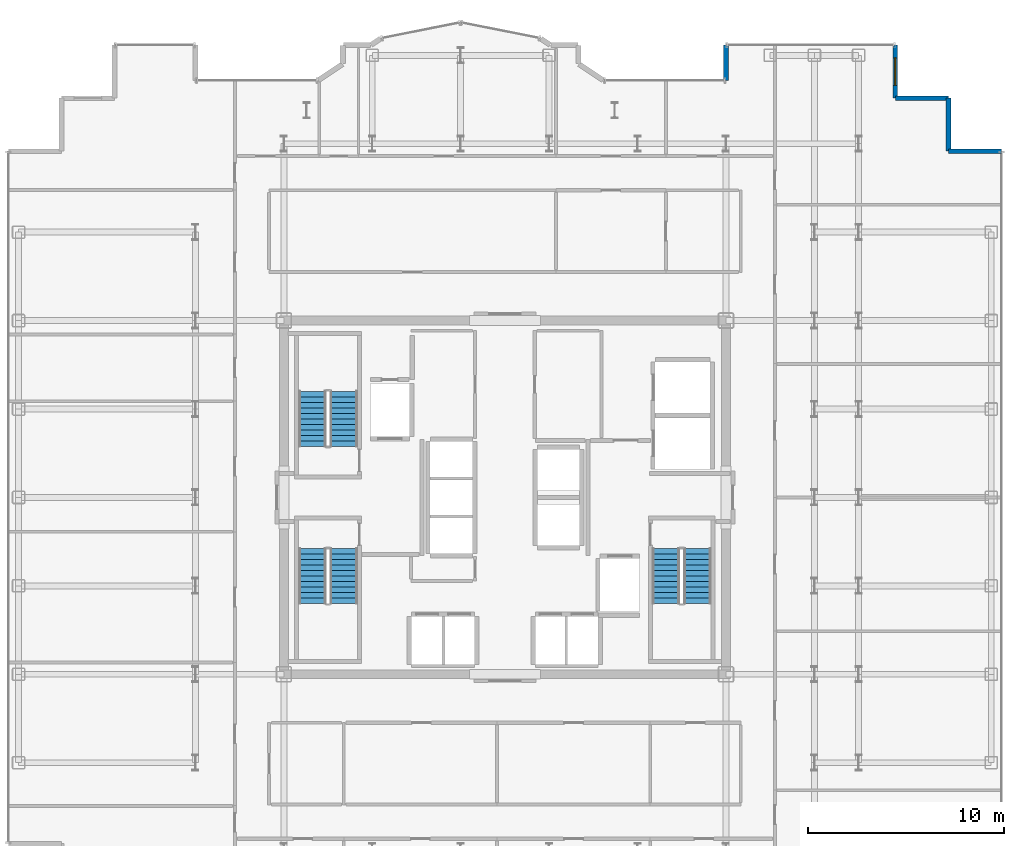
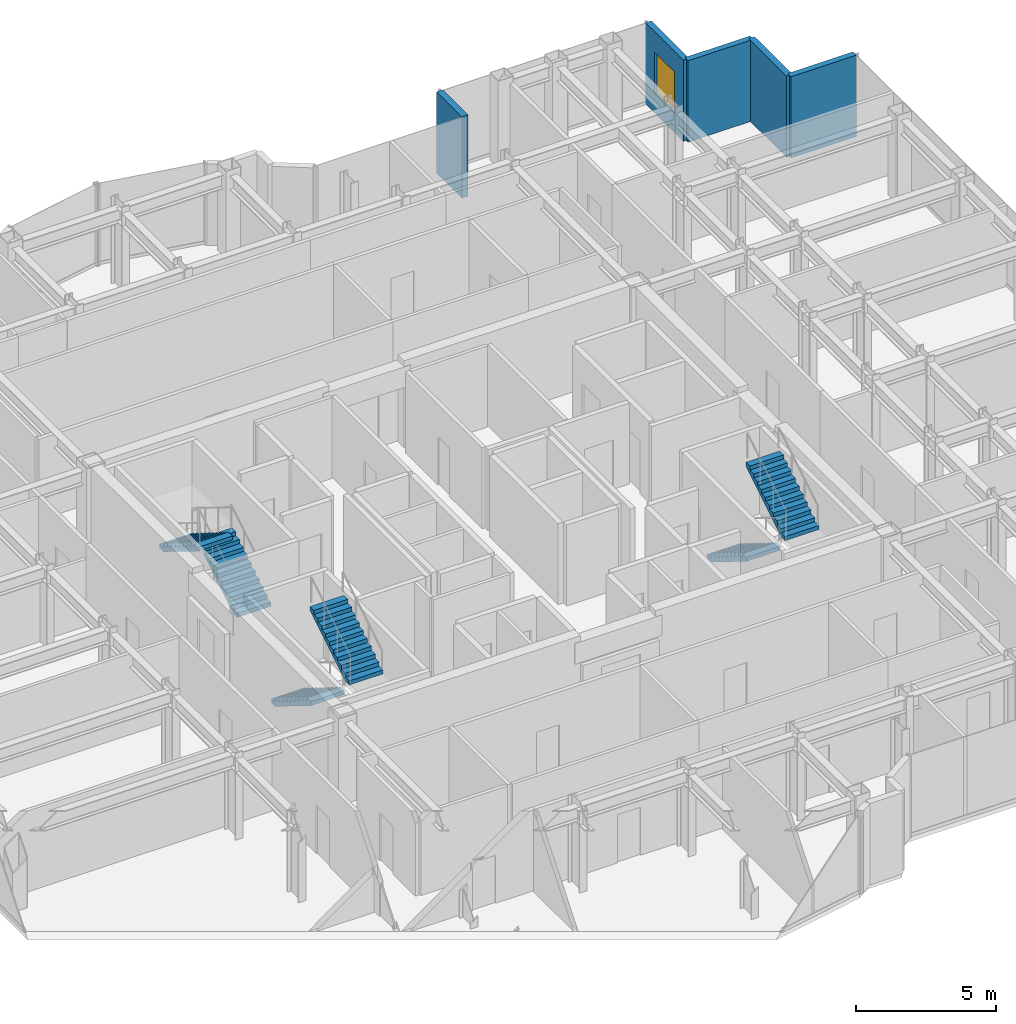
# One storey, part 19 of 20: 6 stair flights, 5 walls, 1 window, 1 opening, 3 elements without a shape of their own.
"""IFC4 building model written with IfcOpenShell, lengths in metres."""

import ifcopenshell
import ifcopenshell.guid

model = None  # the IFC model being written
_history = None  # IfcOwnerHistory: only IFC2X3 demands one
_inside = {}  # id of a spatial element -> (the spatial element, [elements in it])
_under = {}  # id of a project, library or spatial element -> (it, [spatial elements below it])
_declared = {}  # id of a project -> (the project, [libraries it declares])
_typed = {}  # id of a type object -> (the type object, [elements of that type])
_made_of = {}  # id of a material, layer set ... -> (it, [elements and type objects made of it])


def new_model(schema):
    """Start an empty IFC model of exactly this schema.

    Asked for "IFC4X3", IfcOpenShell would pick the latest addendum, in which some entities
    have other attributes; the version numbers below select the first issue.
    IFC2X3 requires an IfcOwnerHistory on every rooted entity: one is made here for all.
    """
    global model, _history
    if schema == "IFC4X3":
        model = ifcopenshell.file(schema_version=(4, 3, 0, 0))
    else:
        model = ifcopenshell.file(schema=schema)
    _inside.clear()
    _under.clear()
    _declared.clear()
    _typed.clear()
    _made_of.clear()
    _history = None
    if model.schema == "IFC2X3":
        org = make("IfcOrganization", Name="unknown")
        user = make(
            "IfcPersonAndOrganization",
            ThePerson=make("IfcPerson", FamilyName="unknown"),
            TheOrganization=org,
        )
        app = make(
            "IfcApplication",
            ApplicationDeveloper=org,
            Version="unknown",
            ApplicationFullName="unknown",
            ApplicationIdentifier="unknown",
        )
        _history = make(
            "IfcOwnerHistory",
            OwningUser=user,
            OwningApplication=app,
            ChangeAction="ADDED",
            CreationDate=0,
        )
    return model


def make(cls, **values):
    """One entity of the class cls with the attributes given. An attribute that is None is left unset."""
    return model.create_entity(
        cls, **{name: value for name, value in values.items() if value is not None}
    )


def rooted(cls, **values):
    """An entity with a GlobalId (a new one), such as an element, a storey or a relation."""
    return make(cls, GlobalId=ifcopenshell.guid.new(), OwnerHistory=_history, **values)


def si_unit(unit_type, name, prefix=None):
    """IfcSIUnit, for example si_unit("LENGTHUNIT", "METRE", prefix="MILLI")."""
    return make("IfcSIUnit", UnitType=unit_type, Prefix=prefix, Name=name)


def assignment(units):
    """IfcUnitAssignment: the units of a project."""
    return None if units is None else make("IfcUnitAssignment", Units=units)


def point(xyz):
    """IfcCartesianPoint."""
    return None if xyz is None else make("IfcCartesianPoint", Coordinates=xyz)


def direction(xyz):
    """IfcDirection."""
    return None if xyz is None else make("IfcDirection", DirectionRatios=xyz)


def frame(location, z_axis=None, x_axis=None):
    """IfcAxis2Placement3D, a coordinate frame: its origin and axes. An axis left out is left unset."""
    return make(
        "IfcAxis2Placement3D",
        Location=point(location),
        Axis=direction(z_axis),
        RefDirection=direction(x_axis),
    )


def frame_2d(location, x_axis=None):
    """IfcAxis2Placement2D, a coordinate frame in the plane: its origin and x axis."""
    return make(
        "IfcAxis2Placement2D", Location=point(location), RefDirection=direction(x_axis)
    )


def origin():
    """The frame at (0, 0, 0) with its axes left unset."""
    return frame((0.0, 0.0, 0.0))


def place(relative_to, where):
    """IfcLocalPlacement: puts the frame where relative to a parent placement (None: the world)."""
    return make(
        "IfcLocalPlacement", PlacementRelTo=relative_to, RelativePlacement=where
    )


def context(
    kind, dimensions, precision=None, world=None, true_north=None, identifier=None
):
    """IfcGeometricRepresentationContext, for example the 3D "Model" context."""
    return make(
        "IfcGeometricRepresentationContext",
        ContextIdentifier=identifier,
        ContextType=kind,
        CoordinateSpaceDimension=dimensions,
        Precision=precision,
        WorldCoordinateSystem=world,
        TrueNorth=true_north,
    )


def subcontext(parent, identifier, kind, view, scale=None):
    """IfcGeometricRepresentationSubContext, for example "Body" below "Model"."""
    return make(
        "IfcGeometricRepresentationSubContext",
        ContextIdentifier=identifier,
        ContextType=kind,
        ParentContext=parent,
        TargetScale=scale,
        TargetView=view,
    )


def project(units=None, contexts=None):
    """IfcProject with its units and contexts."""
    return rooted(
        "IfcProject",
        Name="project",
        RepresentationContexts=contexts,
        UnitsInContext=assignment(units),
    )


def spatial(cls, under=None, at=None, **own):
    """A site, building, storey or space (cls), placed at a placement, below another one or the project."""
    s = rooted(cls, ObjectPlacement=at, **own)
    if under is not None:
        _under.setdefault(under.id(), (under, []))[1].append(s)
    return s


def polyline(points):
    """IfcPolyline through the points."""
    return make("IfcPolyline", Points=[point(p) for p in points])


def profile(cls, at=None, kind="AREA", **sizes):
    """A parametric profile (cls). Its sizes go by their IFC names, for example OverallWidth=200.0."""
    return make(cls, ProfileType=kind, Position=at, **sizes)


def rectangle(**sizes):
    """IfcRectangleProfileDef."""
    return profile("IfcRectangleProfileDef", **sizes)


def outline(outer, holes=None, kind="AREA"):
    """IfcArbitraryClosedProfileDef: a profile drawn as a closed curve; with holes, ...WithVoids."""
    if holes is None:
        return make("IfcArbitraryClosedProfileDef", ProfileType=kind, OuterCurve=outer)
    return make(
        "IfcArbitraryProfileDefWithVoids",
        ProfileType=kind,
        OuterCurve=outer,
        InnerCurves=holes,
    )


def extrude(swept, where, along, depth):
    """IfcExtrudedAreaSolid: the profile swept, set in the frame where, extruded along a direction by depth."""
    return make(
        "IfcExtrudedAreaSolid",
        SweptArea=swept,
        Position=where,
        ExtrudedDirection=direction(along),
        Depth=depth,
    )


def shape(context_of_items, identifier, shape_type, items):
    """IfcShapeRepresentation: the items that make up one representation, for example the "Body"."""
    return make(
        "IfcShapeRepresentation",
        ContextOfItems=context_of_items,
        RepresentationIdentifier=identifier,
        RepresentationType=shape_type,
        Items=items,
    )


def source(mapping_origin, context_of_items, identifier, shape_type, items):
    """IfcRepresentationMap: a shape defined once, which mapped items show again and again."""
    return make(
        "IfcRepresentationMap",
        MappingOrigin=mapping_origin,
        MappedRepresentation=shape(context_of_items, identifier, shape_type, items),
    )


def transform(
    local_origin,
    x_axis=None,
    y_axis=None,
    z_axis=None,
    scale=None,
    scale2=None,
    scale3=None,
    uniform=True,
):
    """IfcCartesianTransformationOperator3D, or its non-uniform kind. x_axis, y_axis, z_axis: its Axis1, 2, 3."""
    if uniform:
        return make(
            "IfcCartesianTransformationOperator3D",
            Axis1=direction(x_axis),
            Axis2=direction(y_axis),
            LocalOrigin=point(local_origin),
            Scale=scale,
            Axis3=direction(z_axis),
        )
    return make(
        "IfcCartesianTransformationOperator3DnonUniform",
        Axis1=direction(x_axis),
        Axis2=direction(y_axis),
        LocalOrigin=point(local_origin),
        Scale=scale,
        Axis3=direction(z_axis),
        Scale2=scale2,
        Scale3=scale3,
    )


def mapped(mapping_source, mapping_target):
    """IfcMappedItem: shows the shape of a source again, moved by a transform."""
    return make(
        "IfcMappedItem", MappingSource=mapping_source, MappingTarget=mapping_target
    )


def material(Name=None, Category=None):
    """IfcMaterial."""
    return make("IfcMaterial", Name=Name, Category=Category)


def layer(
    of_material, thickness, ventilated=None, Name=None, Category=None, Priority=None
):
    """IfcMaterialLayer: one layer of a wall or slab, of a material (None: an air gap)."""
    return make(
        "IfcMaterialLayer",
        Material=of_material,
        LayerThickness=thickness,
        IsVentilated=ventilated,
        Name=Name,
        Category=Category,
        Priority=Priority,
    )


def layer_set(layers, Name=None):
    """IfcMaterialLayerSet."""
    return make("IfcMaterialLayerSet", MaterialLayers=layers, LayerSetName=Name)


def made_of(thing, what):
    """Note that an element or type object is made of a material, layer set ...; save() writes the relation."""
    if what is not None:
        _made_of.setdefault(what.id(), (what, []))[1].append(thing)
    return thing


def type_object(cls, material=None, **own):
    """A type object (cls), such as IfcWallType, which elements share."""
    return made_of(rooted(cls, **own), material)


def element(
    cls,
    number,
    at=None,
    inside=None,
    cuts=None,
    type_object=None,
    material=None,
    context=None,
    identifier="Body",
    shape_type=None,
    held_by="IfcProductDefinitionShape",
    body=None,
    shapes=None,
    **own,
):
    """One element of the class cls, such as IfcWall. Its Tag is "e" and its number.

    at: its placement. inside: the storey or other place that contains it. cuts: it is an
    opening in that element (IfcRelVoidsElement). A single representation is given by context,
    identifier, shape_type and body (its items); several are given by shapes. held_by: the class
    of the entity that holds the representations. save() writes the other relations.
    """
    e = rooted(cls, Tag="e%d" % number, ObjectPlacement=at, **own)
    if body is not None:
        shapes = [shape(context, identifier, shape_type, body)]
    if shapes is not None:
        e.Representation = make(held_by, Representations=shapes)
    if inside is not None:
        _inside.setdefault(inside.id(), (inside, []))[1].append(e)
    if cuts is not None:
        rooted(
            "IfcRelVoidsElement", RelatingBuildingElement=cuts, RelatedOpeningElement=e
        )
    if type_object is not None:
        _typed.setdefault(type_object.id(), (type_object, []))[1].append(e)
    return made_of(e, material)


def fill(opening, filler):
    """IfcRelFillsElement: the door or window that sits in an opening."""
    return rooted(
        "IfcRelFillsElement",
        RelatingOpeningElement=opening,
        RelatedBuildingElement=filler,
    )


def aggregate(whole, parts):
    """IfcRelAggregates: a whole, such as a stair, and the parts it consists of."""
    return rooted("IfcRelAggregates", RelatingObject=whole, RelatedObjects=parts)


def save(model, path):
    """Write the relations noted so far, then the file.

    IfcRelAggregates (storeys below a building ...), IfcRelContainedInSpatialStructure (elements
    in a storey), IfcRelDefinesByType, IfcRelAssociatesMaterial and IfcRelDeclares: one each for
    every whole, place, type object, material and project.
    """
    for whole, parts in _under.values():
        aggregate(whole, parts)
    for where, things in _inside.values():
        rooted(
            "IfcRelContainedInSpatialStructure",
            RelatedElements=things,
            RelatingStructure=where,
        )
    for kind, things in _typed.values():
        rooted("IfcRelDefinesByType", RelatedObjects=things, RelatingType=kind)
    for what, things in _made_of.values():
        rooted("IfcRelAssociatesMaterial", RelatedObjects=things, RelatingMaterial=what)
    for by, libraries in _declared.values():
        rooted("IfcRelDeclares", RelatingContext=by, RelatedDefinitions=libraries)
    model.write(path)


model = new_model("IFC4")

# Units and contexts
model_context = context("Model", 3, precision=1e-05, world=origin(), true_north=direction((0.0, 1.0)))
body_context = subcontext(model_context, "Body", "Model", "MODEL_VIEW")
ifc_project = project(units=[si_unit("LENGTHUNIT", "METRE"), si_unit("AREAUNIT", "SQUARE_METRE"), si_unit("VOLUMEUNIT", "CUBIC_METRE"), si_unit("PLANEANGLEUNIT", "RADIAN"), si_unit("MASSUNIT", "GRAM", prefix="KILO")], contexts=[model_context])

# Site, building, storey
site_placement = place(None, origin())
site = spatial("IfcSite", under=ifc_project, at=site_placement, CompositionType="ELEMENT")
building_placement = place(site_placement, origin())
building = spatial("IfcBuilding", under=site, at=building_placement, Name="Nefas-Gora Pilgrimage Tower", CompositionType="ELEMENT")
storey_placement = place(building_placement, frame((0.0, 0.0, 214.199951171875)))
storey = spatial("IfcBuildingStorey", under=building, at=storey_placement, Name="L53", CompositionType="ELEMENT", Elevation=214.199951171875)

# Walls
ifc_material_1 = material(Name="Precast concrete C40/50", Category="concrete")
ifc_layer_1 = layer(ifc_material_1, 0.260009765625)
ifc_layer_set_1 = layer_set([ifc_layer_1], Name="Precast concrete C40/50")
wall_type_1 = type_object("IfcWallType", Name="EW-PORTAL-260", PredefinedType="SOLIDWALL", material=ifc_layer_set_1)
shared_shape_1 = source(origin(), body_context, "Body", "SweptSolid", [
    extrude(rectangle(XDim=1.800048828125, YDim=0.260009765625, at=frame_2d((0.89990234375, 0.0))), origin(), (0.0, 0.0, 1.0), 3.550048828125),
])
wall_1_placement = place(storey_placement, frame((11.25, 23.02001953125, 0.0), z_axis=(0.0, 0.0, 1.0), x_axis=(0.0, -1.0, 0.0)))
element("IfcWall", 1, at=wall_1_placement, inside=storey, type_object=wall_type_1, Name="L53 Lobe Shoulder Precast Spandrel Pier 10", PredefinedType="SOLIDWALL", context=body_context, shape_type="MappedRepresentation", body=[
    mapped(shared_shape_1, transform((0.0, 0.0, 0.0), x_axis=(1.0, 0.0, 0.0), y_axis=(0.0, 1.0, 0.0), z_axis=(0.0, 0.0, 1.0), scale=1.0)),
])
ifc_material_2 = material(Name="Precast concrete C45/55", Category="concrete")
ifc_layer_2 = layer(ifc_material_2, 0.239990234375)
ifc_layer_set_2 = layer_set([ifc_layer_2], Name="Precast concrete C45/55")
wall_type_2 = type_object("IfcWallType", Name="EW-SERR-240", PredefinedType="SHEAR", material=ifc_layer_set_2)
shared_shape_2 = source(origin(), body_context, "Body", "SweptSolid", [
    extrude(rectangle(XDim=2.699951171875, YDim=0.239990234375, at=frame_2d((1.35009765625, 0.0))), origin(), (0.0, 0.0, 1.0), 3.550048828125),
])
for number, where, z_axis, x_axis, name in (
    (2, (25.27001953125, 17.6201171875, 0.0), (0.0, 0.0, 1.0), (-1.0, 0.0, 0.0), "L53 Serrated Corner Shear Pier Wall 6"),
    (3, (22.570068359375, 17.6201171875, 0.0), (0.0, 0.0, 1.0), (0.0, 1.0, 0.0), "L53 Serrated Corner Shear Pier Wall 7"),
    (4, (22.570068359375, 20.320068359375, 0.0), (0.0, 0.0, 1.0), (-1.0, 0.0, 0.0), "L53 Serrated Corner Shear Pier Wall 8"),
):
    element("IfcWall", number, at=place(storey_placement, frame(where, z_axis=z_axis, x_axis=x_axis)), inside=storey, type_object=wall_type_2, Name=name, PredefinedType="SHEAR", context=body_context, shape_type="MappedRepresentation", body=[
        mapped(shared_shape_2, transform((0.0, 0.0, 0.0), x_axis=(1.0, 0.0, 0.0), y_axis=(0.0, 1.0, 0.0), z_axis=(0.0, 0.0, 1.0), scale=1.0)),
    ])

# Wall, opening, window
wall_2_placement = place(storey_placement, frame((19.8701171875, 20.320068359375, 0.0), z_axis=(0.0, 0.0, 1.0), x_axis=(0.0, 1.0, 0.0)))
wall_2 = element("IfcWall", 5, at=wall_2_placement, inside=storey, type_object=wall_type_2, Name="L53 Serrated Corner Shear Pier Wall 9", PredefinedType="SHEAR", context=body_context, shape_type="MappedRepresentation", body=[
    mapped(shared_shape_2, transform((0.0, 0.0, 0.0), x_axis=(1.0, 0.0, 0.0), y_axis=(0.0, 1.0, 0.0), z_axis=(0.0, 0.0, 1.0), scale=1.0)),
])
opening_placement = place(wall_2_placement, frame((0.64990234375, 0.0, 0.85009765625)))
opening = element("IfcOpeningElement", 6, at=opening_placement, cuts=wall_2, Name="Opening W-V2", PredefinedType="OPENING", context=body_context, shape_type="SweptSolid", body=[
    extrude(rectangle(XDim=1.39990234375, YDim=1.800048828125, at=frame_2d((0.699951171875, 0.89990234375))), frame((0.0, 0.1298828125, 0.0), z_axis=(0.0, -1.0, 0.0), x_axis=(1.0, 0.0, 0.0)), (0.0, 0.0, 1.0), 0.260009765625),
])
ifc_material_3 = material(Name="Dark ceramic-fritted operable aluminium-glass window", Category="aluminium")
window_type = type_object("IfcWindowType", Name="WIN-VENT-1400x1800", PartitioningType="SINGLE_PANEL", PredefinedType="WINDOW", material=ifc_material_3)
shared_shape_3 = source(origin(), body_context, "Body", "SweptSolid", [
    extrude(rectangle(XDim=1.39990234375, YDim=1.800048828125, at=frame_2d((0.699951171875, 0.89990234375))), frame((0.0, 0.030029296875, 0.0), z_axis=(0.0, -1.0, 0.0), x_axis=(1.0, 0.0, 0.0)), (0.0, 0.0, 1.0), 0.06005859375),
])
window_placement = place(opening_placement, origin())
window = element("IfcWindow", 7, at=window_placement, inside=storey, type_object=window_type, Name="L53 Operable Parallel-Outswing Window 9", OverallHeight=1.800048828125, OverallWidth=1.39990234375, PartitioningType="SINGLE_PANEL", PredefinedType="WINDOW", context=body_context, shape_type="MappedRepresentation", body=[
    mapped(shared_shape_3, transform((0.0, 0.0, 0.0), x_axis=(1.0, 0.0, 0.0), y_axis=(0.0, 1.0, 0.0), z_axis=(0.0, 0.0, 1.0), scale=1.0)),
])
fill(opening, window)

# Stair, stair flights
ifc_material_4 = material(Name="Concrete C45/55", Category="concrete")
stair_type = type_object("IfcStairType", Name="STR-1400-R1727", PredefinedType="HALF_TURN_STAIR", material=ifc_material_4)
stair_1_placement = place(storey_placement, origin())
stair_1 = element("IfcStair", 8, at=stair_1_placement, inside=storey, type_object=stair_type, Name="L53 Pressurised Tower Exit Stair ST-01", PredefinedType="HALF_TURN_STAIR")
stair_flight_type = type_object("IfcStairFlightType", Name="STF-1400-R1727", PredefinedType="STRAIGHT", material=ifc_material_4)
shared_shape_4 = source(origin(), body_context, "Body", "SweptSolid", [
    extrude(outline(polyline([(0.0, 0.0), (0.0, 0.172607421875), (0.280029296875, 0.172607421875), (0.280029296875, 0.345458984375), (0.56005859375, 0.345458984375), (0.56005859375, 0.51806640625), (0.840087890625, 0.51806640625), (0.840087890625, 0.69091796875), (1.1201171875, 0.69091796875), (1.1201171875, 0.863525390625), (1.39990234375, 0.863525390625), (1.39990234375, 1.036376953125), (1.679931640625, 1.036376953125), (1.679931640625, 1.208984375), (1.9599609375, 1.208984375), (1.9599609375, 1.3818359375), (2.239990234375, 1.3818359375), (2.239990234375, 1.554443359375), (2.52001953125, 1.554443359375), (2.52001953125, 1.727294921875), (2.800048828125, 1.727294921875), (2.800048828125, 1.89990234375), (2.800048828125, 1.551025390625), (0.285400390625, 0.0), (0.0, 0.0)])), frame((0.0, 0.699951171875, 0.0), z_axis=(0.0, -1.0, 0.0), x_axis=(1.0, 0.0, 0.0)), (0.0, 0.0, 1.0), 1.39990234375),
])
stair_flight_1_placement = place(storey_placement, frame((-8.199951171875, 2.60009765625, 0.0), z_axis=(0.0, 0.0, 1.0), x_axis=(0.0, 1.0, 0.0)))
stair_flight_1 = element("IfcStairFlight", 9, at=stair_flight_1_placement, type_object=stair_flight_type, Name="ST-01 flight 1", NumberOfRisers=11, NumberOfTreads=10, PredefinedType="STRAIGHT", RiserHeight=0.172727273, TreadLength=0.28, context=body_context, shape_type="MappedRepresentation", body=[
    mapped(shared_shape_4, transform((0.0, 0.0, 0.0), x_axis=(1.0, 0.0, 0.0), y_axis=(0.0, 1.0, 0.0), z_axis=(0.0, 0.0, 1.0), scale=1.0)),
])
stair_flight_2_placement = place(storey_placement, frame((-9.800048828125, 5.39990234375, 1.900146484375), z_axis=(0.0, 0.0, 1.0), x_axis=(0.0, -1.0, 0.0)))
stair_flight_2 = element("IfcStairFlight", 10, at=stair_flight_2_placement, type_object=stair_flight_type, Name="ST-01 flight 2", NumberOfRisers=11, NumberOfTreads=10, PredefinedType="STRAIGHT", RiserHeight=0.172727273, TreadLength=0.28, context=body_context, shape_type="MappedRepresentation", body=[
    mapped(shared_shape_4, transform((0.0, 0.0, 0.0), x_axis=(1.0, 0.0, 0.0), y_axis=(0.0, 1.0, 0.0), z_axis=(0.0, 0.0, 1.0), scale=1.0)),
])
aggregate(stair_1, [stair_flight_1, stair_flight_2])

stair_2_placement = place(storey_placement, origin())
stair_2 = element("IfcStair", 11, at=stair_2_placement, inside=storey, type_object=stair_type, Name="L53 Pressurised Tower Exit Stair ST-02", PredefinedType="HALF_TURN_STAIR")
stair_flight_3_placement = place(storey_placement, frame((8.199951171875, -2.60009765625, 0.0), z_axis=(0.0, 0.0, 1.0), x_axis=(0.0, -1.0, 0.0)))
stair_flight_3 = element("IfcStairFlight", 12, at=stair_flight_3_placement, type_object=stair_flight_type, Name="ST-02 flight 1", NumberOfRisers=11, NumberOfTreads=10, PredefinedType="STRAIGHT", RiserHeight=0.172727273, TreadLength=0.28, context=body_context, shape_type="MappedRepresentation", body=[
    mapped(shared_shape_4, transform((0.0, 0.0, 0.0), x_axis=(1.0, 0.0, 0.0), y_axis=(0.0, 1.0, 0.0), z_axis=(0.0, 0.0, 1.0), scale=1.0)),
])
stair_flight_4_placement = place(storey_placement, frame((9.800048828125, -5.39990234375, 1.900146484375), z_axis=(0.0, 0.0, 1.0), x_axis=(0.0, 1.0, 0.0)))
stair_flight_4 = element("IfcStairFlight", 13, at=stair_flight_4_placement, type_object=stair_flight_type, Name="ST-02 flight 2", NumberOfRisers=11, NumberOfTreads=10, PredefinedType="STRAIGHT", RiserHeight=0.172727273, TreadLength=0.28, context=body_context, shape_type="MappedRepresentation", body=[
    mapped(shared_shape_4, transform((0.0, 0.0, 0.0), x_axis=(1.0, 0.0, 0.0), y_axis=(0.0, 1.0, 0.0), z_axis=(0.0, 0.0, 1.0), scale=1.0)),
])
aggregate(stair_2, [stair_flight_3, stair_flight_4])

stair_3_placement = place(storey_placement, origin())
stair_3 = element("IfcStair", 14, at=stair_3_placement, inside=storey, type_object=stair_type, Name="L53 Pressurised Tower Exit Stair ST-03", PredefinedType="HALF_TURN_STAIR")
stair_flight_5_placement = place(storey_placement, frame((-9.800048828125, -2.60009765625, 0.0), z_axis=(0.0, 0.0, 1.0), x_axis=(0.0, -1.0, 0.0)))
stair_flight_5 = element("IfcStairFlight", 15, at=stair_flight_5_placement, type_object=stair_flight_type, Name="ST-03 flight 1", NumberOfRisers=11, NumberOfTreads=10, PredefinedType="STRAIGHT", RiserHeight=0.172727273, TreadLength=0.28, context=body_context, shape_type="MappedRepresentation", body=[
    mapped(shared_shape_4, transform((0.0, 0.0, 0.0), x_axis=(1.0, 0.0, 0.0), y_axis=(0.0, 1.0, 0.0), z_axis=(0.0, 0.0, 1.0), scale=1.0)),
])
stair_flight_6_placement = place(storey_placement, frame((-8.199951171875, -5.39990234375, 1.900146484375), z_axis=(0.0, 0.0, 1.0), x_axis=(0.0, 1.0, 0.0)))
stair_flight_6 = element("IfcStairFlight", 16, at=stair_flight_6_placement, type_object=stair_flight_type, Name="ST-03 flight 2", NumberOfRisers=11, NumberOfTreads=10, PredefinedType="STRAIGHT", RiserHeight=0.172727273, TreadLength=0.28, context=body_context, shape_type="MappedRepresentation", body=[
    mapped(shared_shape_4, transform((0.0, 0.0, 0.0), x_axis=(1.0, 0.0, 0.0), y_axis=(0.0, 1.0, 0.0), z_axis=(0.0, 0.0, 1.0), scale=1.0)),
])
aggregate(stair_3, [stair_flight_5, stair_flight_6])

save(model, "model.ifc")
